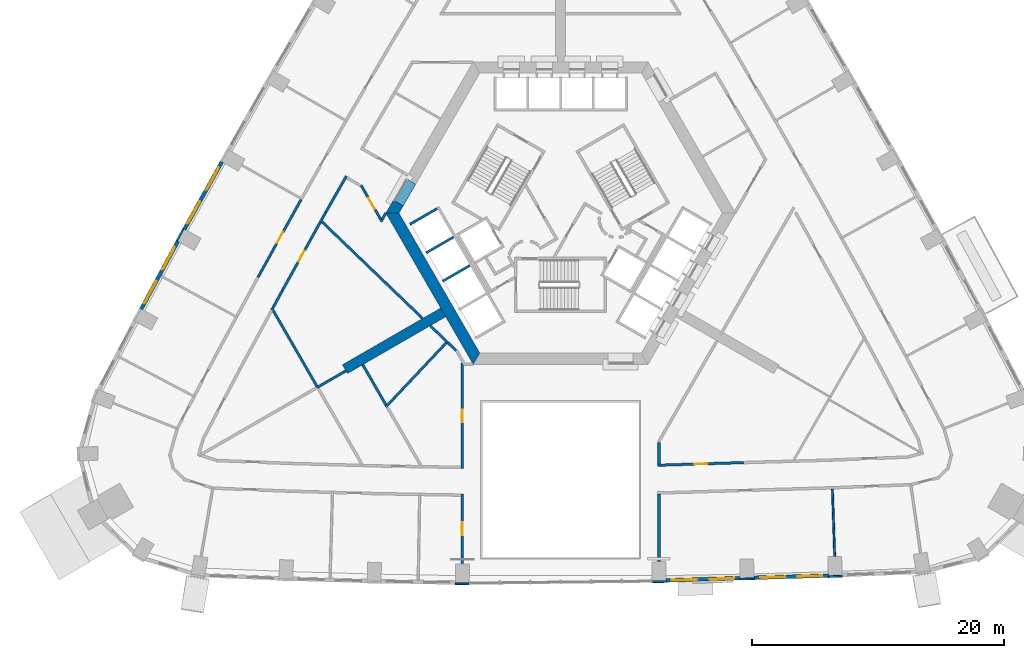
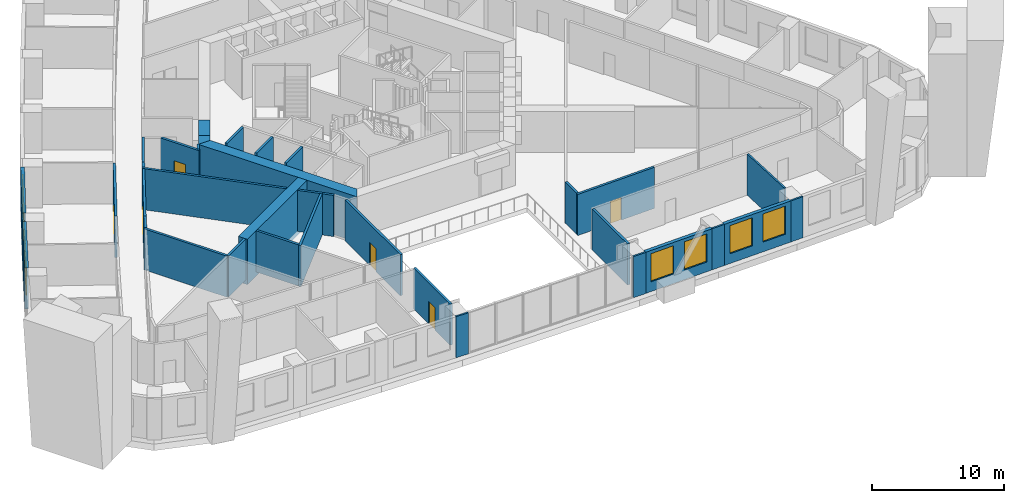
# One storey, part 5 of 15: 36 walls, 8 windows, 6 doors, 14 openings.
"""IFC4 building model written with IfcOpenShell, lengths in metres."""

from ifc_helpers import new_model, si_unit, direction, frame, frame_2d, origin, place, context, subcontext, project, spatial, polyline, rectangle, outline, extrude, material, layer, layer_set, type_object, element, fill, save


model = new_model("IFC4")

# Units and contexts
model_context = context("Model", 3, precision=1e-05, world=origin(), true_north=direction((0.0, 1.0)))
body_context = subcontext(model_context, "Body", "Model", "MODEL_VIEW")
ifc_project = project(units=[si_unit("LENGTHUNIT", "METRE"), si_unit("AREAUNIT", "SQUARE_METRE"), si_unit("VOLUMEUNIT", "CUBIC_METRE"), si_unit("PLANEANGLEUNIT", "RADIAN"), si_unit("MASSUNIT", "GRAM", prefix="KILO")], contexts=[model_context])

# Site, building, storey
site_placement = place(None, origin())
site = spatial("IfcSite", under=ifc_project, at=site_placement, CompositionType="ELEMENT")
building_placement = place(site_placement, origin())
building = spatial("IfcBuilding", under=site, at=building_placement, Name="Entoto Arch Interchange Tower", CompositionType="ELEMENT")
storey_placement = place(building_placement, frame((0.0, 0.0, 99.199951171875)))
storey = spatial("IfcBuildingStorey", under=building, at=storey_placement, Name="L21", CompositionType="ELEMENT", Elevation=99.199951171875)

# Walls
ifc_material_1 = material(Name="Concrete C60/75", Category="concrete")
ifc_layer_1 = layer(ifc_material_1, 0.800048828125)
ifc_layer_set_1 = layer_set([ifc_layer_1], Name="Concrete C60/75")
wall_type_1 = type_object("IfcWallType", Name="Buttress wall 800 C60/75", PredefinedType="SHEAR", material=ifc_layer_set_1)
wall_1_placement = place(storey_placement, frame((-9.31005859375, -5.375, -0.39990234375), z_axis=(0.0, 0.0, 1.0), x_axis=(-0.866017533419, -0.500013631625, 0.0)))
element("IfcWall", 1, at=wall_1_placement, inside=storey, type_object=wall_type_1, Name="Buttress wall SW L21", PredefinedType="SHEAR", context=body_context, shape_type="SweptSolid", body=[
    extrude(rectangle(XDim=8.999755859375, YDim=0.800048828125, at=frame_2d((4.5, 0.0))), origin(), (0.0, 0.0, 1.0), 4.199951171875),
])
ifc_layer_2 = layer(ifc_material_1, 0.89990234375)
ifc_layer_set_2 = layer_set([ifc_layer_2], Name="Concrete C60/75")
wall_type_2 = type_object("IfcWallType", Name="Core wall 900 C60/75", PredefinedType="SHEAR", material=ifc_layer_set_2)
wall_2_placement = place(storey_placement, frame((0.0, 0.0, -0.39990234375)))
element("IfcWall", 2, at=wall_2_placement, inside=storey, type_object=wall_type_2, Name="Core wall NW L21", PredefinedType="SHEAR", context=body_context, shape_type="SweptSolid", body=[
    extrude(outline(polyline([(-12.488037109375, 3.070068359375), (-13.26708984375, 3.52001953125), (-13.85595703125, 2.5), (-12.81689453125, 2.5), (-12.488037109375, 3.070068359375)])), origin(), (0.0, 0.0, 1.0), 4.199951171875),
])
wall_3_placement = place(storey_placement, frame((0.0, 0.0, 3.60009765625)))
element("IfcWall", 3, at=wall_3_placement, inside=storey, type_object=wall_type_2, Name="Core wall lintel NW L21", PredefinedType="SHEAR", context=body_context, shape_type="SweptSolid", body=[
    extrude(outline(polyline([(-13.26708984375, 3.52001953125), (-12.488037109375, 3.070068359375), (-11.488037109375, 4.802001953125), (-12.26708984375, 5.251953125), (-13.26708984375, 3.52001953125)])), origin(), (0.0, 0.0, 1.0), 0.199951171875),
])
wall_4_placement = place(storey_placement, frame((0.0, 0.0, -0.39990234375)))
element("IfcWall", 4, at=wall_4_placement, inside=storey, type_object=wall_type_2, Name="Core wall SW L21", PredefinedType="SHEAR", context=body_context, shape_type="SweptSolid", body=[
    extrude(outline(polyline([(-13.85595703125, 2.5), (-6.927978515625, -9.5), (-6.408935546875, -8.60009765625), (-12.81689453125, 2.5), (-13.85595703125, 2.5)])), origin(), (0.0, 0.0, 1.0), 4.199951171875),
])
ifc_material_2 = material(Name="Concrete C40/50", Category="concrete")
ifc_layer_3 = layer(ifc_material_2, 0.199951171875)
ifc_layer_set_3 = layer_set([ifc_layer_3], Name="Concrete C40/50")
wall_type_3 = type_object("IfcWallType", Name="LIFT SHAFT WALL 200", PredefinedType="STANDARD", material=ifc_layer_set_3)
wall_5_placement = place(storey_placement, frame((-9.7880859375, 2.85302734375, 0.0), z_axis=(0.0, 0.0, 1.0), x_axis=(-0.865998541277, -0.500046524342, 0.0)))
element("IfcWall", 5, at=wall_5_placement, inside=storey, type_object=wall_type_3, Name="Shaft wall SW3 cross 1", PredefinedType="STANDARD", context=body_context, shape_type="SweptSolid", body=[
    extrude(rectangle(XDim=2.499755859375, YDim=0.199951171875, at=frame_2d((1.25, 0.0))), origin(), (0.0, 0.0, 1.0), 3.800048828125),
])
for number, where, z_axis, x_axis, name in (
    (6, (-8.488037109375, 0.60205078125, 0.0), (0.0, 0.0, 1.0), (-0.866022959057, -0.500004234368, 0.0), "Shaft wall SW3 cross 2"),
    (7, (-7.18798828125, -1.64990234375, 0.0), (0.0, 0.0, 1.0), (-0.866022959057, -0.500004234368, 0.0), "Shaft wall SW3 cross 3"),
):
    element("IfcWall", number, at=place(storey_placement, frame(where, z_axis=z_axis, x_axis=x_axis)), inside=storey, type_object=wall_type_3, Name=name, PredefinedType="STANDARD", context=body_context, shape_type="SweptSolid", body=[
        extrude(rectangle(XDim=2.5, YDim=0.199951171875, at=frame_2d((1.25, 0.0))), origin(), (0.0, 0.0, 1.0), 3.800048828125),
    ])
ifc_material_3 = material(Name="Gypsum board partition on steel studs", Category="steel")
ifc_layer_4 = layer(ifc_material_3, 0.14990234375)
ifc_layer_set_4 = layer_set([ifc_layer_4], Name="Gypsum board partition on steel studs")
wall_type_4 = type_object("IfcWallType", Name="PARTITION 150", PredefinedType="PARTITIONING", material=ifc_layer_set_4)
wall_6_placement = place(storey_placement, frame((21.550048828125, -19.382080078125, 0.0), z_axis=(0.0, 0.0, 1.0), x_axis=(0.034124666577, -0.999417583961, 0.0)))
element("IfcWall", 8, at=wall_6_placement, inside=storey, type_object=wall_type_4, Name="wall:L21:p137", PredefinedType="PARTITIONING", context=body_context, shape_type="SweptSolid", body=[
    extrude(rectangle(XDim=5.330078125, YDim=0.14990234375, at=frame_2d((2.6650390625, 0.0))), origin(), (0.0, 0.0, 1.0), 3.800048828125),
])

# Wall, opening, door
ifc_layer_5 = layer(ifc_material_3, 0.199951171875)
ifc_layer_set_5 = layer_set([ifc_layer_5], Name="Gypsum board partition on steel studs")
wall_type_5 = type_object("IfcWallType", Name="PARTITION 200", PredefinedType="PARTITIONING", material=ifc_layer_set_5)
wall_7_placement = place(storey_placement, frame((7.699951171875, -17.492919921875, 0.0), z_axis=(0.0, 0.0, 1.0), x_axis=(0.999526319751, 0.030775576778, 0.0)))
wall_7 = element("IfcWall", 9, at=wall_7_placement, inside=storey, type_object=wall_type_5, Name="wall:L21:p017", PredefinedType="PARTITIONING", context=body_context, shape_type="SweptSolid", body=[
    extrude(rectangle(XDim=6.822265625, YDim=0.199951171875, at=frame_2d((3.4111328125, 0.0))), origin(), (0.0, 0.0, 1.0), 3.800048828125),
])
opening_1_placement = place(wall_7_placement, frame((2.910888671875, 0.0, 0.0)))
opening_1 = element("IfcOpeningElement", 10, at=opening_1_placement, cuts=wall_7, Name="Opening L21-D21", PredefinedType="OPENING", context=body_context, shape_type="SweptSolid", body=[
    extrude(rectangle(XDim=1.0, YDim=2.10009765625, at=frame_2d((0.5, 1.050048828125))), frame((0.0, 0.10986328125, 0.0), z_axis=(0.0, -1.0, 0.0), x_axis=(1.0, 0.0, 0.0)), (0.0, 0.0, 1.0), 0.219970703125),
])
ifc_material_4 = material(Name="Timber door leaf in Steel S235 frame", Category="steel")
door_type = type_object("IfcDoorType", Name="DOOR DS-10 1000x2100", OperationType="SINGLE_SWING_LEFT", PredefinedType="DOOR", material=ifc_material_4)
door_1_placement = place(opening_1_placement, origin())
door_1 = element("IfcDoor", 11, at=door_1_placement, inside=storey, type_object=door_type, Name="door:L21:21", OperationType="SINGLE_SWING_LEFT", OverallHeight=2.10009765625, OverallWidth=1.0, PredefinedType="DOOR", context=body_context, shape_type="SweptSolid", body=[
    extrude(rectangle(XDim=1.0, YDim=2.10009765625, at=frame_2d((0.5, 1.050048828125))), frame((0.0, 0.02490234375, 0.0), z_axis=(0.0, -1.0, 0.0), x_axis=(1.0, 0.0, 0.0)), (0.0, 0.0, 1.0), 0.050048828125),
])
fill(opening_1, door_1)

# Wall
wall_8_placement = place(storey_placement, frame((-13.85009765625, 2.513916015625, 0.0), z_axis=(0.0, 0.0, 1.0), x_axis=(-0.500418219013, -0.865783810244, 0.0)))
element("IfcWall", 12, at=wall_8_placement, inside=storey, type_object=wall_type_5, Name="wall:L21:p027", PredefinedType="PARTITIONING", context=body_context, shape_type="SweptSolid", body=[
    extrude(rectangle(XDim=0.607421875, YDim=0.199951171875, at=frame_2d((0.3037109375, 0.0))), origin(), (0.0, 0.0, 1.0), 3.800048828125),
])

# Wall, opening, door
wall_9_placement = place(storey_placement, frame((-14.154052734375, 1.81494140625, 0.0), z_axis=(0.0, 0.0, 1.0), x_axis=(-0.500038857296, 0.866002968352, 0.0)))
wall_9 = element("IfcWall", 13, at=wall_9_placement, inside=storey, type_object=wall_type_5, Name="wall:L21:p028", PredefinedType="PARTITIONING", context=body_context, shape_type="SweptSolid", body=[
    extrude(rectangle(XDim=3.339599609375, YDim=0.199951171875, at=frame_2d((1.669921875, 0.0))), origin(), (0.0, 0.0, 1.0), 3.800048828125),
])
opening_2_placement = place(wall_9_placement, frame((1.169921875, 0.0, 0.0)))
opening_2 = element("IfcOpeningElement", 14, at=opening_2_placement, cuts=wall_9, Name="Opening L21-D26", PredefinedType="OPENING", context=body_context, shape_type="SweptSolid", body=[
    extrude(rectangle(XDim=1.0, YDim=2.10009765625, at=frame_2d((0.5, 1.050048828125))), frame((0.0, 0.10986328125, 0.0), z_axis=(0.0, -1.0, 0.0), x_axis=(1.0, 0.0, 0.0)), (0.0, 0.0, 1.0), 0.219970703125),
])
door_2_placement = place(opening_2_placement, origin())
door_2 = element("IfcDoor", 15, at=door_2_placement, inside=storey, type_object=door_type, Name="door:L21:26", OperationType="SINGLE_SWING_LEFT", OverallHeight=2.10009765625, OverallWidth=1.0, PredefinedType="DOOR", context=body_context, shape_type="SweptSolid", body=[
    extrude(rectangle(XDim=1.0, YDim=2.10009765625, at=frame_2d((0.5, 1.050048828125))), frame((0.0, 0.02490234375, 0.0), z_axis=(0.0, -1.0, 0.0), x_axis=(1.0, 0.0, 0.0)), (0.0, 0.0, 1.0), 0.050048828125),
])
fill(opening_2, door_2)

# Walls
wall_10_placement = place(storey_placement, frame((-16.986083984375, 5.43603515625, 0.0), z_axis=(0.0, 0.0, 1.0), x_axis=(-0.49514688151, -0.868809280412, 0.0)))
element("IfcWall", 16, at=wall_10_placement, inside=storey, type_object=wall_type_5, Name="wall:L21:p030", PredefinedType="PARTITIONING", context=body_context, shape_type="SweptSolid", body=[
    extrude(rectangle(XDim=3.31396484375, YDim=0.199951171875, at=frame_2d((1.656982421875, 0.0))), origin(), (0.0, 0.0, 1.0), 3.800048828125),
])
wall_11_placement = place(storey_placement, frame((-18.626953125, 2.556884765625, 0.0), z_axis=(0.0, 0.0, 1.0), x_axis=(-0.484771582084, -0.874640790956, 0.0)))
element("IfcWall", 17, at=wall_11_placement, inside=storey, type_object=wall_type_5, Name="wall:L21:p031", PredefinedType="PARTITIONING", context=body_context, shape_type="SweptSolid", body=[
    extrude(rectangle(XDim=0.666259765625, YDim=0.199951171875, at=frame_2d((0.3330078125, 0.0))), origin(), (0.0, 0.0, 1.0), 3.800048828125),
])

# Wall, opening, door
wall_12_placement = place(storey_placement, frame((-19.047119140625, 1.799072265625, 0.0), z_axis=(0.0, 0.0, 1.0), x_axis=(-0.485240396382, -0.87438078531, 0.0)))
wall_12 = element("IfcWall", 18, at=wall_12_placement, inside=storey, type_object=wall_type_5, Name="wall:L21:p033", PredefinedType="PARTITIONING", context=body_context, shape_type="SweptSolid", body=[
    extrude(rectangle(XDim=6.231689453125, YDim=0.199951171875, at=frame_2d((3.11572265625, 0.0))), origin(), (0.0, 0.0, 1.0), 3.800048828125),
])
opening_3_placement = place(wall_12_placement, frame((2.615966796875, 0.0, 0.0)))
opening_3 = element("IfcOpeningElement", 19, at=opening_3_placement, cuts=wall_12, Name="Opening L21-D28", PredefinedType="OPENING", context=body_context, shape_type="SweptSolid", body=[
    extrude(rectangle(XDim=1.0, YDim=2.10009765625, at=frame_2d((0.5, 1.050048828125))), frame((0.0, 0.10986328125, 0.0), z_axis=(0.0, -1.0, 0.0), x_axis=(1.0, 0.0, 0.0)), (0.0, 0.0, 1.0), 0.219970703125),
])
door_3_placement = place(opening_3_placement, origin())
door_3 = element("IfcDoor", 20, at=door_3_placement, inside=storey, type_object=door_type, Name="door:L21:28", OperationType="SINGLE_SWING_LEFT", OverallHeight=2.10009765625, OverallWidth=1.0, PredefinedType="DOOR", context=body_context, shape_type="SweptSolid", body=[
    extrude(rectangle(XDim=1.0, YDim=2.10009765625, at=frame_2d((0.5, 1.050048828125))), frame((0.0, 0.02490234375, 0.0), z_axis=(0.0, -1.0, 0.0), x_axis=(1.0, 0.0, 0.0)), (0.0, 0.0, 1.0), 0.050048828125),
])
fill(opening_3, door_3)

# Wall
wall_13_placement = place(storey_placement, frame((-22.071044921875, -3.64990234375, 0.0), z_axis=(0.0, 0.0, 1.0), x_axis=(-0.475212034938, -0.879871309823, 0.0)))
element("IfcWall", 21, at=wall_13_placement, inside=storey, type_object=wall_type_5, Name="wall:L21:p034", PredefinedType="PARTITIONING", context=body_context, shape_type="SweptSolid", body=[
    extrude(rectangle(XDim=1.55712890625, YDim=0.199951171875, at=frame_2d((0.778564453125, 0.0))), origin(), (0.0, 0.0, 1.0), 3.800048828125),
])

# Wall, opening, door
wall_14_placement = place(storey_placement, frame((-24.0, -2.593017578125, 0.0), z_axis=(0.0, 0.0, 1.0), x_axis=(0.485148833338, 0.874431592242, 0.0)))
wall_14 = element("IfcWall", 22, at=wall_14_placement, inside=storey, type_object=wall_type_5, Name="wall:L21:p071", PredefinedType="PARTITIONING", context=body_context, shape_type="SweptSolid", body=[
    extrude(rectangle(XDim=7.04931640625, YDim=0.199951171875, at=frame_2d((3.524658203125, 0.0))), origin(), (0.0, 0.0, 1.0), 3.800048828125),
])
opening_4_placement = place(wall_14_placement, frame((3.09912109375, 0.0, 0.0)))
opening_4 = element("IfcOpeningElement", 23, at=opening_4_placement, cuts=wall_14, Name="Opening L21-D14", PredefinedType="OPENING", context=body_context, shape_type="SweptSolid", body=[
    extrude(rectangle(XDim=1.0, YDim=2.10009765625, at=frame_2d((0.5, 1.050048828125))), frame((0.0, 0.10986328125, 0.0), z_axis=(0.0, -1.0, 0.0), x_axis=(1.0, 0.0, 0.0)), (0.0, 0.0, 1.0), 0.219970703125),
])
door_4_placement = place(opening_4_placement, origin())
door_4 = element("IfcDoor", 24, at=door_4_placement, inside=storey, type_object=door_type, Name="door:L21:14", OperationType="SINGLE_SWING_LEFT", OverallHeight=2.10009765625, OverallWidth=1.0, PredefinedType="DOOR", context=body_context, shape_type="SweptSolid", body=[
    extrude(rectangle(XDim=1.0, YDim=2.10009765625, at=frame_2d((0.5, 1.050048828125))), frame((0.0, 0.02490234375, 0.0), z_axis=(0.0, -1.0, 0.0), x_axis=(1.0, 0.0, 0.0)), (0.0, 0.0, 1.0), 0.050048828125),
])
fill(opening_4, door_4)

# Wall
wall_15_placement = place(storey_placement, frame((7.800048828125, -15.68994140625, 0.0), z_axis=(0.0, 0.0, 1.0), x_axis=(0.0, -1.0, 0.0)))
element("IfcWall", 25, at=wall_15_placement, inside=storey, type_object=wall_type_5, Name="wall:L21:p115", PredefinedType="PARTITIONING", context=body_context, shape_type="SweptSolid", body=[
    extrude(rectangle(XDim=1.699951171875, YDim=0.199951171875, at=frame_2d((0.85009765625, 0.0))), origin(), (0.0, 0.0, 1.0), 3.800048828125),
])

# Wall, opening, door
wall_16_placement = place(storey_placement, frame((-7.800048828125, -17.764892578125, 0.0), z_axis=(0.0, 0.0, 1.0), x_axis=(0.0, 1.0, 0.0)))
wall_16 = element("IfcWall", 26, at=wall_16_placement, inside=storey, type_object=wall_type_5, Name="wall:L21:p117", PredefinedType="PARTITIONING", context=body_context, shape_type="SweptSolid", body=[
    extrude(rectangle(XDim=8.365966796875, YDim=0.199951171875, at=frame_2d((4.18310546875, 0.0))), origin(), (0.0, 0.0, 1.0), 3.800048828125),
])
opening_5_placement = place(wall_16_placement, frame((3.68310546875, 0.0, 0.0)))
opening_5 = element("IfcOpeningElement", 27, at=opening_5_placement, cuts=wall_16, Name="Opening L21-D27", PredefinedType="OPENING", context=body_context, shape_type="SweptSolid", body=[
    extrude(rectangle(XDim=1.0, YDim=2.10009765625, at=frame_2d((0.5, 1.050048828125))), frame((0.0, 0.10986328125, 0.0), z_axis=(0.0, -1.0, 0.0), x_axis=(1.0, 0.0, 0.0)), (0.0, 0.0, 1.0), 0.219970703125),
])
door_5_placement = place(opening_5_placement, origin())
door_5 = element("IfcDoor", 28, at=door_5_placement, inside=storey, type_object=door_type, Name="door:L21:27", OperationType="SINGLE_SWING_RIGHT", OverallHeight=2.10009765625, OverallWidth=1.0, PredefinedType="DOOR", context=body_context, shape_type="SweptSolid", body=[
    extrude(rectangle(XDim=1.0, YDim=2.10009765625, at=frame_2d((0.5, 1.050048828125))), frame((0.0, 0.02490234375, 0.0), z_axis=(0.0, -1.0, 0.0), x_axis=(1.0, 0.0, 0.0)), (0.0, 0.0, 1.0), 0.050048828125),
])
fill(opening_5, door_5)

# Wall
wall_17_placement = place(storey_placement, frame((7.800048828125, -19.791015625, 0.0), z_axis=(0.0, 0.0, 1.0), x_axis=(0.0, -1.0, 0.0)))
element("IfcWall", 29, at=wall_17_placement, inside=storey, type_object=wall_type_5, Name="wall:L21:p118", PredefinedType="PARTITIONING", context=body_context, shape_type="SweptSolid", body=[
    extrude(rectangle(XDim=5.3330078125, YDim=0.199951171875, at=frame_2d((2.66650390625, 0.0))), origin(), (0.0, 0.0, 1.0), 3.800048828125),
])

# Wall, opening, door
wall_18_placement = place(storey_placement, frame((-7.800048828125, -25.2958984375, 0.0), z_axis=(0.0, 0.0, 1.0), x_axis=(0.0, 1.0, 0.0)))
wall_18 = element("IfcWall", 30, at=wall_18_placement, inside=storey, type_object=wall_type_5, Name="wall:L21:p119", PredefinedType="PARTITIONING", context=body_context, shape_type="SweptSolid", body=[
    extrude(rectangle(XDim=5.531005859375, YDim=0.199951171875, at=frame_2d((2.765625, 0.0))), origin(), (0.0, 0.0, 1.0), 3.800048828125),
])
opening_6_placement = place(wall_18_placement, frame((2.264892578125, 0.0, 0.0)))
opening_6 = element("IfcOpeningElement", 31, at=opening_6_placement, cuts=wall_18, Name="Opening L21-D20", PredefinedType="OPENING", context=body_context, shape_type="SweptSolid", body=[
    extrude(rectangle(XDim=1.0, YDim=2.10009765625, at=frame_2d((0.5, 1.050048828125))), frame((0.0, 0.10986328125, 0.0), z_axis=(0.0, -1.0, 0.0), x_axis=(1.0, 0.0, 0.0)), (0.0, 0.0, 1.0), 0.219970703125),
])
door_6_placement = place(opening_6_placement, origin())
door_6 = element("IfcDoor", 32, at=door_6_placement, inside=storey, type_object=door_type, Name="door:L21:20", OperationType="SINGLE_SWING_LEFT", OverallHeight=2.10009765625, OverallWidth=1.0, PredefinedType="DOOR", context=body_context, shape_type="SweptSolid", body=[
    extrude(rectangle(XDim=1.0, YDim=2.10009765625, at=frame_2d((0.5, 1.050048828125))), frame((0.0, 0.02490234375, 0.0), z_axis=(0.0, -1.0, 0.0), x_axis=(1.0, 0.0, 0.0)), (0.0, 0.0, 1.0), 0.050048828125),
])
fill(opening_6, door_6)

# Walls
wall_19_placement = place(storey_placement, frame((-8.929931640625, -7.782958984375, 0.0), z_axis=(0.0, 0.0, 1.0), x_axis=(0.720954255291, -0.692982656189, 0.0)))
element("IfcWall", 33, at=wall_19_placement, inside=storey, type_object=wall_type_5, Name="wall:L21:p127", PredefinedType="PARTITIONING", context=body_context, shape_type="SweptSolid", body=[
    extrude(rectangle(XDim=0.890380859375, YDim=0.199951171875, at=frame_2d((0.4453125, 0.0))), origin(), (0.0, 0.0, 1.0), 3.800048828125),
])
wall_20_placement = place(storey_placement, frame((-8.929931640625, -7.782958984375, 0.0), z_axis=(0.0, 0.0, 1.0), x_axis=(-0.72124523191, 0.692679807305, 0.0)))
element("IfcWall", 34, at=wall_20_placement, inside=storey, type_object=wall_type_5, Name="wall:L21:p129", PredefinedType="PARTITIONING", context=body_context, shape_type="SweptSolid", body=[
    extrude(rectangle(XDim=1.923095703125, YDim=0.199951171875, at=frame_2d((0.96142578125, 0.0))), origin(), (0.0, 0.0, 1.0), 3.800048828125),
])
wall_21_placement = place(storey_placement, frame((-13.864990234375, -12.8759765625, 0.0), z_axis=(0.0, 0.0, 1.0), x_axis=(0.685651384846, 0.727930064263, 0.0)))
element("IfcWall", 35, at=wall_21_placement, inside=storey, type_object=wall_type_5, Name="wall:L21:p130", PredefinedType="PARTITIONING", context=body_context, shape_type="SweptSolid", body=[
    extrude(rectangle(XDim=7.091064453125, YDim=0.199951171875, at=frame_2d((3.54541015625, 0.0))), origin(), (0.0, 0.0, 1.0), 3.800048828125),
])
wall_22_placement = place(storey_placement, frame((-13.846923828125, -12.716064453125, 0.0), z_axis=(0.0, 0.0, 1.0), x_axis=(-0.499861859587, 0.866105144501, 0.0)))
element("IfcWall", 36, at=wall_22_placement, inside=storey, type_object=wall_type_5, Name="wall:L21:p132", PredefinedType="PARTITIONING", context=body_context, shape_type="SweptSolid", body=[
    extrude(rectangle(XDim=3.68896484375, YDim=0.199951171875, at=frame_2d((1.844482421875, 0.0))), origin(), (0.0, 0.0, 1.0), 3.800048828125),
])
wall_23_placement = place(storey_placement, frame((-17.027099609375, -10.009033203125, 0.0), z_axis=(0.0, 0.0, 1.0), x_axis=(-0.865950948929, -0.500128937424, 0.0)))
element("IfcWall", 37, at=wall_23_placement, inside=storey, type_object=wall_type_5, Name="wall:L21:p133", PredefinedType="PARTITIONING", context=body_context, shape_type="SweptSolid", body=[
    extrude(rectangle(XDim=2.599365234375, YDim=0.199951171875, at=frame_2d((1.2998046875, 0.0))), origin(), (0.0, 0.0, 1.0), 3.800048828125),
])
wall_24_placement = place(storey_placement, frame((-19.278076171875, -11.30908203125, 0.0), z_axis=(0.0, 0.0, 1.0), x_axis=(-0.500044545065, 0.865999684151, 0.0)))
element("IfcWall", 38, at=wall_24_placement, inside=storey, type_object=wall_type_5, Name="wall:L21:p134", PredefinedType="PARTITIONING", context=body_context, shape_type="SweptSolid", body=[
    extrude(rectangle(XDim=7.260986328125, YDim=0.199951171875, at=frame_2d((3.63037109375, 0.0))), origin(), (0.0, 0.0, 1.0), 3.800048828125),
])
wall_25_placement = place(storey_placement, frame((-10.9599609375, -5.833984375, 0.0), z_axis=(0.0, 0.0, 1.0), x_axis=(-0.721236335428, 0.692689070549, 0.0)))
element("IfcWall", 39, at=wall_25_placement, inside=storey, type_object=wall_type_5, Name="wall:L21:p129", PredefinedType="PARTITIONING", context=body_context, shape_type="SweptSolid", body=[
    extrude(rectangle(XDim=11.24609375, YDim=0.199951171875, at=frame_2d((5.623046875, 0.0))), origin(), (0.0, 0.0, 1.0), 3.800048828125),
])

# Wall, openings, windows
ifc_material_5 = material(Name="Welded tuff (ignimbrite) cladding, warm buff", Category="masonry")
ifc_layer_6 = layer(ifc_material_5, 0.300048828125)
ifc_layer_set_6 = layer_set([ifc_layer_6], Name="Welded tuff (ignimbrite) cladding, warm buff")
wall_type_6 = type_object("IfcWallType", Name="STONE INFILL WALL 300", PredefinedType="STANDARD", material=ifc_layer_set_6)
wall_26_placement = place(storey_placement, frame((8.346923828125, -26.626953125, 0.0), z_axis=(0.0, 0.0, 1.0), x_axis=(0.999529601824, 0.030668796478, 0.0)))
wall_26 = element("IfcWall", 40, at=wall_26_placement, inside=storey, type_object=wall_type_6, Name="Facade wall S-05 L21", PredefinedType="STANDARD", context=body_context, shape_type="SweptSolid", body=[
    extrude(rectangle(XDim=5.898681640625, YDim=0.300048828125, at=frame_2d((2.94921875, 0.0))), origin(), (0.0, 0.0, 1.0), 3.800048828125),
])
opening_7_placement = place(wall_26_placement, frame((0.47509765625, 0.0, 0.89990234375)))
opening_7 = element("IfcOpeningElement", 41, at=opening_7_placement, cuts=wall_26, Name="Opening WO-C", PredefinedType="OPENING", context=body_context, shape_type="SweptSolid", body=[
    extrude(rectangle(XDim=2.0, YDim=2.60009765625, at=frame_2d((1.0, 1.300048828125))), frame((0.0, 0.16015625, 0.0), z_axis=(0.0, -1.0, 0.0), x_axis=(1.0, 0.0, 0.0)), (0.0, 0.0, 1.0), 0.320068359375),
])
opening_8_placement = place(wall_26_placement, frame((3.424072265625, 0.0, 0.89990234375)))
opening_8 = element("IfcOpeningElement", 42, at=opening_8_placement, cuts=wall_26, Name="Opening WO-C", PredefinedType="OPENING", context=body_context, shape_type="SweptSolid", body=[
    extrude(rectangle(XDim=2.0, YDim=2.60009765625, at=frame_2d((1.0, 1.300048828125))), frame((0.0, 0.16015625, 0.0), z_axis=(0.0, -1.0, 0.0), x_axis=(1.0, 0.0, 0.0)), (0.0, 0.0, 1.0), 0.320068359375),
])
ifc_material_6 = material(Name="Clear glass, low-e double glazed", Category="glass")
window_type = type_object("IfcWindowType", Name="WINDOW WO-C 2000x2600", PartitioningType="DOUBLE_PANEL_VERTICAL", PredefinedType="WINDOW", material=ifc_material_6)
window_1_placement = place(opening_7_placement, origin())
window_1 = element("IfcWindow", 43, at=window_1_placement, inside=storey, type_object=window_type, Name="Window WO-C S-05 L21", OverallHeight=2.60009765625, OverallWidth=2.0, PartitioningType="SINGLE_PANEL", PredefinedType="WINDOW", context=body_context, shape_type="SweptSolid", body=[
    extrude(rectangle(XDim=2.0, YDim=2.60009765625, at=frame_2d((1.0, 1.300048828125))), frame((0.0, 0.030029296875, 0.0), z_axis=(0.0, -1.0, 0.0), x_axis=(1.0, 0.0, 0.0)), (0.0, 0.0, 1.0), 0.06005859375),
])
fill(opening_7, window_1)
window_2_placement = place(opening_8_placement, origin())
window_2 = element("IfcWindow", 44, at=window_2_placement, inside=storey, type_object=window_type, Name="Window WO-C S-05 L21", OverallHeight=2.60009765625, OverallWidth=2.0, PartitioningType="SINGLE_PANEL", PredefinedType="WINDOW", context=body_context, shape_type="SweptSolid", body=[
    extrude(rectangle(XDim=2.0, YDim=2.60009765625, at=frame_2d((1.0, 1.300048828125))), frame((0.0, 0.030029296875, 0.0), z_axis=(0.0, -1.0, 0.0), x_axis=(1.0, 0.0, 0.0)), (0.0, 0.0, 1.0), 0.06005859375),
])
fill(opening_8, window_2)

wall_27_placement = place(storey_placement, frame((15.340087890625, -26.4130859375, 0.0), z_axis=(0.0, 0.0, 1.0), x_axis=(0.999588397616, 0.028688592709, 0.0)))
wall_27 = element("IfcWall", 45, at=wall_27_placement, inside=storey, type_object=wall_type_6, Name="Facade wall S-06 L21", PredefinedType="STANDARD", context=body_context, shape_type="SweptSolid", body=[
    extrude(rectangle(XDim=5.8974609375, YDim=0.300048828125, at=frame_2d((2.94873046875, 0.0))), origin(), (0.0, 0.0, 1.0), 3.800048828125),
])
opening_9_placement = place(wall_27_placement, frame((0.47412109375, 0.0, 0.89990234375)))
opening_9 = element("IfcOpeningElement", 46, at=opening_9_placement, cuts=wall_27, Name="Opening WO-C", PredefinedType="OPENING", context=body_context, shape_type="SweptSolid", body=[
    extrude(rectangle(XDim=2.0, YDim=2.60009765625, at=frame_2d((1.0, 1.300048828125))), frame((0.0, 0.16015625, 0.0), z_axis=(0.0, -1.0, 0.0), x_axis=(1.0, 0.0, 0.0)), (0.0, 0.0, 1.0), 0.320068359375),
])
opening_10_placement = place(wall_27_placement, frame((3.423095703125, 0.0, 0.89990234375)))
opening_10 = element("IfcOpeningElement", 47, at=opening_10_placement, cuts=wall_27, Name="Opening WO-C", PredefinedType="OPENING", context=body_context, shape_type="SweptSolid", body=[
    extrude(rectangle(XDim=2.0, YDim=2.60009765625, at=frame_2d((1.0, 1.300048828125))), frame((0.0, 0.16015625, 0.0), z_axis=(0.0, -1.0, 0.0), x_axis=(1.0, 0.0, 0.0)), (0.0, 0.0, 1.0), 0.320068359375),
])
window_3_placement = place(opening_9_placement, origin())
window_3 = element("IfcWindow", 48, at=window_3_placement, inside=storey, type_object=window_type, Name="Window WO-C S-06 L21", OverallHeight=2.60009765625, OverallWidth=2.0, PartitioningType="SINGLE_PANEL", PredefinedType="WINDOW", context=body_context, shape_type="SweptSolid", body=[
    extrude(rectangle(XDim=2.0, YDim=2.60009765625, at=frame_2d((1.0, 1.300048828125))), frame((0.0, 0.030029296875, 0.0), z_axis=(0.0, -1.0, 0.0), x_axis=(1.0, 0.0, 0.0)), (0.0, 0.0, 1.0), 0.06005859375),
])
fill(opening_9, window_3)
window_4_placement = place(opening_10_placement, origin())
window_4 = element("IfcWindow", 49, at=window_4_placement, inside=storey, type_object=window_type, Name="Window WO-C S-06 L21", OverallHeight=2.60009765625, OverallWidth=2.0, PartitioningType="SINGLE_PANEL", PredefinedType="WINDOW", context=body_context, shape_type="SweptSolid", body=[
    extrude(rectangle(XDim=2.0, YDim=2.60009765625, at=frame_2d((1.0, 1.300048828125))), frame((0.0, 0.030029296875, 0.0), z_axis=(0.0, -1.0, 0.0), x_axis=(1.0, 0.0, 0.0)), (0.0, 0.0, 1.0), 0.06005859375),
])
fill(opening_10, window_4)

wall_28_placement = place(storey_placement, frame((-26.868896484375, 6.56201171875, 0.0), z_axis=(0.0, 0.0, 1.0), x_axis=(-0.485170774404, -0.874419418623, 0.0)))
wall_28 = element("IfcWall", 50, at=wall_28_placement, inside=storey, type_object=wall_type_6, Name="Facade wall NW-06 L21", PredefinedType="STANDARD", context=body_context, shape_type="SweptSolid", body=[
    extrude(rectangle(XDim=6.103271484375, YDim=0.300048828125, at=frame_2d((3.0517578125, 0.0))), origin(), (0.0, 0.0, 1.0), 3.800048828125),
])
opening_11_placement = place(wall_28_placement, frame((0.52587890625, 0.0, 0.89990234375)))
opening_11 = element("IfcOpeningElement", 51, at=opening_11_placement, cuts=wall_28, Name="Opening WO-C", PredefinedType="OPENING", context=body_context, shape_type="SweptSolid", body=[
    extrude(rectangle(XDim=2.0, YDim=2.60009765625, at=frame_2d((1.0, 1.300048828125))), frame((0.0, 0.16015625, 0.0), z_axis=(0.0, -1.0, 0.0), x_axis=(1.0, 0.0, 0.0)), (0.0, 0.0, 1.0), 0.320068359375),
])
opening_12_placement = place(wall_28_placement, frame((3.577880859375, 0.0, 0.89990234375)))
opening_12 = element("IfcOpeningElement", 52, at=opening_12_placement, cuts=wall_28, Name="Opening WO-C", PredefinedType="OPENING", context=body_context, shape_type="SweptSolid", body=[
    extrude(rectangle(XDim=2.0, YDim=2.60009765625, at=frame_2d((1.0, 1.300048828125))), frame((0.0, 0.16015625, 0.0), z_axis=(0.0, -1.0, 0.0), x_axis=(1.0, 0.0, 0.0)), (0.0, 0.0, 1.0), 0.320068359375),
])
window_5_placement = place(opening_11_placement, origin())
window_5 = element("IfcWindow", 53, at=window_5_placement, inside=storey, type_object=window_type, Name="Window WO-C NW-06 L21", OverallHeight=2.60009765625, OverallWidth=2.0, PartitioningType="SINGLE_PANEL", PredefinedType="WINDOW", context=body_context, shape_type="SweptSolid", body=[
    extrude(rectangle(XDim=2.0, YDim=2.60009765625, at=frame_2d((1.0, 1.300048828125))), frame((0.0, 0.030029296875, 0.0), z_axis=(0.0, -1.0, 0.0), x_axis=(1.0, 0.0, 0.0)), (0.0, 0.0, 1.0), 0.06005859375),
])
fill(opening_11, window_5)
window_6_placement = place(opening_12_placement, origin())
window_6 = element("IfcWindow", 54, at=window_6_placement, inside=storey, type_object=window_type, Name="Window WO-C NW-06 L21", OverallHeight=2.60009765625, OverallWidth=2.0, PartitioningType="SINGLE_PANEL", PredefinedType="WINDOW", context=body_context, shape_type="SweptSolid", body=[
    extrude(rectangle(XDim=2.0, YDim=2.60009765625, at=frame_2d((1.0, 1.300048828125))), frame((0.0, 0.030029296875, 0.0), z_axis=(0.0, -1.0, 0.0), x_axis=(1.0, 0.0, 0.0)), (0.0, 0.0, 1.0), 0.06005859375),
])
fill(opening_12, window_6)

wall_29_placement = place(storey_placement, frame((-30.35693359375, 0.261962890625, 0.0), z_axis=(0.0, 0.0, 1.0), x_axis=(-0.475573079782, -0.879676216449, 0.0)))
wall_29 = element("IfcWall", 55, at=wall_29_placement, inside=storey, type_object=wall_type_6, Name="Facade wall NW-07 L21", PredefinedType="STANDARD", context=body_context, shape_type="SweptSolid", body=[
    extrude(rectangle(XDim=6.1044921875, YDim=0.300048828125, at=frame_2d((3.05224609375, 0.0))), origin(), (0.0, 0.0, 1.0), 3.800048828125),
])
opening_13_placement = place(wall_29_placement, frame((0.52587890625, 0.0, 0.89990234375)))
opening_13 = element("IfcOpeningElement", 56, at=opening_13_placement, cuts=wall_29, Name="Opening WO-C", PredefinedType="OPENING", context=body_context, shape_type="SweptSolid", body=[
    extrude(rectangle(XDim=2.0, YDim=2.60009765625, at=frame_2d((1.0, 1.300048828125))), frame((0.0, 0.16015625, 0.0), z_axis=(0.0, -1.0, 0.0), x_axis=(1.0, 0.0, 0.0)), (0.0, 0.0, 1.0), 0.320068359375),
])
opening_14_placement = place(wall_29_placement, frame((3.577880859375, 0.0, 0.89990234375)))
opening_14 = element("IfcOpeningElement", 57, at=opening_14_placement, cuts=wall_29, Name="Opening WO-C", PredefinedType="OPENING", context=body_context, shape_type="SweptSolid", body=[
    extrude(rectangle(XDim=2.0, YDim=2.60009765625, at=frame_2d((1.0, 1.300048828125))), frame((0.0, 0.16015625, 0.0), z_axis=(0.0, -1.0, 0.0), x_axis=(1.0, 0.0, 0.0)), (0.0, 0.0, 1.0), 0.320068359375),
])
window_7_placement = place(opening_13_placement, origin())
window_7 = element("IfcWindow", 58, at=window_7_placement, inside=storey, type_object=window_type, Name="Window WO-C NW-07 L21", OverallHeight=2.60009765625, OverallWidth=2.0, PartitioningType="SINGLE_PANEL", PredefinedType="WINDOW", context=body_context, shape_type="SweptSolid", body=[
    extrude(rectangle(XDim=2.0, YDim=2.60009765625, at=frame_2d((1.0, 1.300048828125))), frame((0.0, 0.030029296875, 0.0), z_axis=(0.0, -1.0, 0.0), x_axis=(1.0, 0.0, 0.0)), (0.0, 0.0, 1.0), 0.06005859375),
])
fill(opening_13, window_7)
window_8_placement = place(opening_14_placement, origin())
window_8 = element("IfcWindow", 59, at=window_8_placement, inside=storey, type_object=window_type, Name="Window WO-C NW-07 L21", OverallHeight=2.60009765625, OverallWidth=2.0, PartitioningType="SINGLE_PANEL", PredefinedType="WINDOW", context=body_context, shape_type="SweptSolid", body=[
    extrude(rectangle(XDim=2.0, YDim=2.60009765625, at=frame_2d((1.0, 1.300048828125))), frame((0.0, 0.030029296875, 0.0), z_axis=(0.0, -1.0, 0.0), x_axis=(1.0, 0.0, 0.0)), (0.0, 0.0, 1.0), 0.06005859375),
])
fill(opening_14, window_8)

# Walls
ifc_layer_7 = layer(ifc_material_5, 0.14990234375)
ifc_layer_set_7 = layer_set([ifc_layer_7], Name="Welded tuff (ignimbrite) cladding, warm buff")
wall_type_7 = type_object("IfcWallType", Name="STONE PIER CLADDING 150", PredefinedType="STANDARD", material=ifc_layer_set_7)
wall_30_placement = place(storey_placement, frame((-29.89794921875, 1.263916015625, 0.0), z_axis=(0.0, 0.0, 1.0), x_axis=(-0.479737645119, -0.877411985247, 0.0)))
element("IfcWall", 60, at=wall_30_placement, inside=storey, type_object=wall_type_7, Name="Stone pier NW07 L21", PredefinedType="STANDARD", context=body_context, shape_type="SweptSolid", body=[
    extrude(rectangle(XDim=1.100830078125, YDim=0.14990234375, at=frame_2d((0.55029296875, 0.0))), origin(), (0.0, 0.0, 1.0), 3.800048828125),
])
for number, where, z_axis, x_axis, name in (
    (61, (-8.34912109375, -26.885986328125, 0.0), (0.0, 0.0, 1.0), (0.99995860686, -0.009098602504, 0.0), "Stone pier S04 L21"),
    (62, (7.2490234375, -26.72412109375, 0.0), (0.0, 0.0, 1.0), (0.99995860686, 0.009098602504, 0.0), "Stone pier S05 L21"),
):
    element("IfcWall", number, at=place(storey_placement, frame(where, z_axis=z_axis, x_axis=x_axis)), inside=storey, type_object=wall_type_7, Name=name, PredefinedType="STANDARD", context=body_context, shape_type="SweptSolid", body=[
        extrude(rectangle(XDim=1.10009765625, YDim=0.14990234375, at=frame_2d((0.550048828125, 0.0))), origin(), (0.0, 0.0, 1.0), 3.800048828125),
    ])
wall_31_placement = place(storey_placement, frame((14.242919921875, -26.51708984375, 0.0), z_axis=(0.0, 0.0, 1.0), x_axis=(0.999718180159, 0.023739424163, 0.0)))
element("IfcWall", 63, at=wall_31_placement, inside=storey, type_object=wall_type_7, Name="Stone pier S06 L21", PredefinedType="STANDARD", context=body_context, shape_type="SweptSolid", body=[
    extrude(rectangle(XDim=1.100341796875, YDim=0.14990234375, at=frame_2d((0.55029296875, 0.0))), origin(), (0.0, 0.0, 1.0), 3.800048828125),
])
wall_32_placement = place(storey_placement, frame((21.237060546875, -26.322998046875, 0.0), z_axis=(0.0, 0.0, 1.0), x_axis=(0.999368780235, 0.035525217693, 0.0)))
element("IfcWall", 64, at=wall_32_placement, inside=storey, type_object=wall_type_7, Name="Stone pier S07 L21", PredefinedType="STANDARD", context=body_context, shape_type="SweptSolid", body=[
    extrude(rectangle(XDim=1.099609375, YDim=0.14990234375, at=frame_2d((0.5498046875, 0.0))), origin(), (0.0, 0.0, 1.0), 3.800048828125),
])

save(model, "model.ifc")
